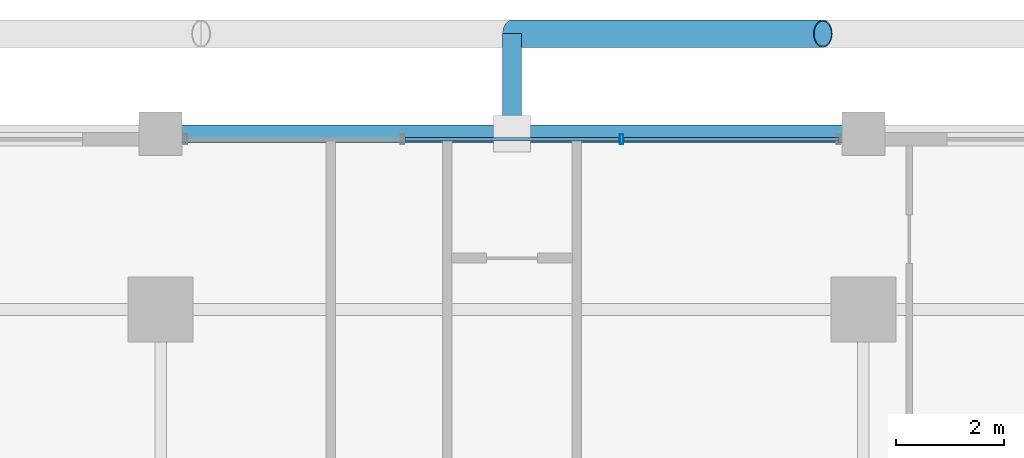
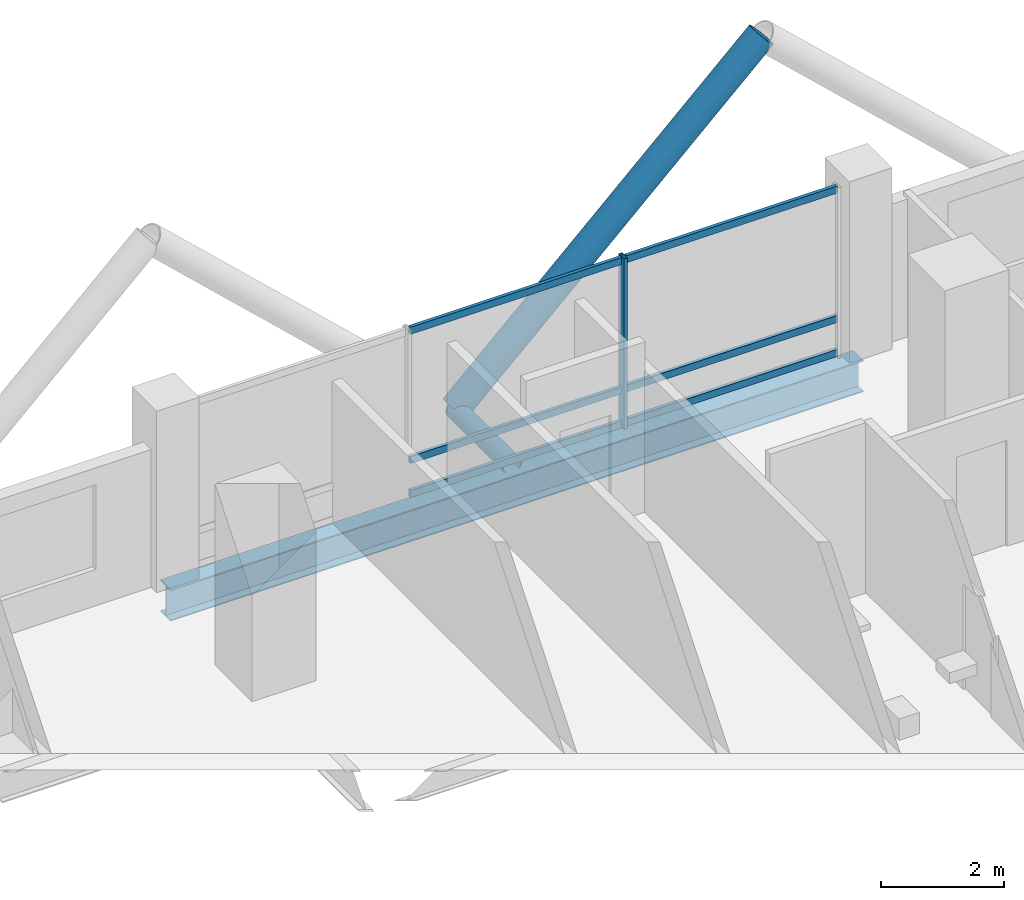
# One storey, part 15 of 24: 9 members, 1 beam, 1 element without a shape of its own.
"""IFC4 building model written with IfcOpenShell, lengths in metres."""

from ifc_helpers import new_model, si_unit, direction, frame, origin, origin_2d, place, context, subcontext, project, spatial, hollow_rectangle, hollow_circle, i_section, extrude, material, layer, layer_set, material_profile, profile_set, type_object, element, aggregate, save


model = new_model("IFC4")

# Units and contexts
model_context = context("Model", 3, precision=1e-05, world=origin(), true_north=direction((0.0, 1.0)))
body_context = subcontext(model_context, "Body", "Model", "MODEL_VIEW")
ifc_project = project(units=[si_unit("LENGTHUNIT", "METRE"), si_unit("AREAUNIT", "SQUARE_METRE"), si_unit("VOLUMEUNIT", "CUBIC_METRE"), si_unit("PLANEANGLEUNIT", "RADIAN"), si_unit("MASSUNIT", "GRAM", prefix="KILO")], contexts=[model_context])

# Site, building, storey
site_placement = place(None, origin())
site = spatial("IfcSite", under=ifc_project, at=site_placement, CompositionType="ELEMENT")
building_placement = place(site_placement, origin())
building = spatial("IfcBuilding", under=site, at=building_placement, Name="Barlavira Tower and Art Museum", CompositionType="ELEMENT")
storey_placement = place(building_placement, frame((0.0, 0.0, 154.800048828125)))
storey = spatial("IfcBuildingStorey", under=building, at=storey_placement, Name="L39", CompositionType="ELEMENT", Elevation=154.800048828125)

# Curtain wall, members
ifc_material_1 = material(Name="Low-iron coastal laminated glass", Category="glass")
ifc_layer = layer(ifc_material_1, 0.18994140625, Name="Low-iron coastal laminated glass")
ifc_layer_set = layer_set([ifc_layer], Name="Low-iron coastal laminated glass")
curtain_wall_type = type_object("IfcCurtainWallType", Name="Pale-Metal Unitised Curtain Wall Zone 2", PredefinedType="NOTDEFINED", material=ifc_layer_set)
curtain_wall_placement = place(storey_placement, origin())
curtain_wall = element("IfcCurtainWall", 1, at=curtain_wall_placement, inside=storey, type_object=curtain_wall_type, Name="L39 Curtain Wall CW2-L39-N-B3", PredefinedType="NOTDEFINED")
ifc_material_2 = material(Name="Pale anodised aluminium", Category="aluminium")
ifc_material_profile_1 = material_profile(ifc_material_2, hollow_rectangle(XDim=0.06494140625, YDim=0.179931640625, WallThickness=0.00390625, at=origin_2d()), Name="ALU-MULL 65x180x4")
ifc_profile_set_1 = profile_set([ifc_material_profile_1], Name="Pale anodised aluminium")
member_type_1 = type_object("IfcMemberType", Name="Curtain Wall Pale-Metal Mullion 65x180", PredefinedType="MULLION", material=ifc_profile_set_1)
member_1_placement = place(storey_placement, frame((2.026611328125, 23.14990234375, 0.0), z_axis=(0.0, 0.0, 1.0), x_axis=(-1.0, 0.0, 0.0)))
member_1 = element("IfcMember", 2, at=member_1_placement, type_object=member_type_1, Name="CW2-L39-N-B3 Mullion 1", PredefinedType="MULLION", context=body_context, shape_type="SweptSolid", body=[
    extrude(hollow_rectangle(XDim=0.06494140625, YDim=0.179931640625, WallThickness=0.00390625, at=origin_2d()), origin(), (0.0, 0.0, 1.0), 3.3798828125),
])
ifc_material_profile_2 = material_profile(ifc_material_2, hollow_rectangle(XDim=0.06494140625, YDim=0.139892578125, WallThickness=0.00390625, at=origin_2d()), Name="ALU-TRAN 65x140x4")
ifc_profile_set_2 = profile_set([ifc_material_profile_2], Name="Pale anodised aluminium")
member_type_2 = type_object("IfcMemberType", Name="Curtain Wall Pale-Metal Transom 65x140", PredefinedType="USERDEFINED", material=ifc_profile_set_2)
member_2_placement = place(storey_placement, frame((6.034912109375, 23.14990234375, 0.070068359375), z_axis=(-1.0, 0.0, 0.0), x_axis=(0.0, -1.0, 0.0)))
member_2 = element("IfcMember", 3, at=member_2_placement, type_object=member_type_2, Name="CW2-L39-N-B3 Transom 0.1", ObjectType="TRANSOM", PredefinedType="USERDEFINED", context=body_context, shape_type="SweptSolid", body=[
    extrude(hollow_rectangle(XDim=0.06494140625, YDim=0.139892578125, WallThickness=0.00390625, at=origin_2d()), origin(), (0.0, 0.0, 1.0), 3.963134765625),
])
member_3_placement = place(storey_placement, frame((6.034912109375, 23.14990234375, 0.743896484375), z_axis=(-1.0, 0.0, 0.0), x_axis=(0.0, -1.0, 0.0)))
member_3 = element("IfcMember", 4, at=member_3_placement, type_object=member_type_2, Name="CW2-L39-N-B3 Transom 0.2", ObjectType="TRANSOM", PredefinedType="USERDEFINED", context=body_context, shape_type="SweptSolid", body=[
    extrude(hollow_rectangle(XDim=0.06494140625, YDim=0.139892578125, WallThickness=0.00390625, at=origin_2d()), origin(), (0.0, 0.0, 1.0), 3.963134765625),
])
member_4_placement = place(storey_placement, frame((6.034912109375, 23.14990234375, 3.31005859375), z_axis=(-1.0, 0.0, 0.0), x_axis=(0.0, -1.0, 0.0)))
member_4 = element("IfcMember", 5, at=member_4_placement, type_object=member_type_2, Name="CW2-L39-N-B3 Transom 0.3", ObjectType="TRANSOM", PredefinedType="USERDEFINED", context=body_context, shape_type="SweptSolid", body=[
    extrude(hollow_rectangle(XDim=0.06494140625, YDim=0.139892578125, WallThickness=0.00390625, at=origin_2d()), origin(), (0.0, 0.0, 1.0), 3.963134765625),
])
member_5_placement = place(storey_placement, frame((1.981689453125, 23.14990234375, 0.070068359375), z_axis=(-1.0, 0.0, 0.0), x_axis=(0.0, -1.0, 0.0)))
member_5 = element("IfcMember", 6, at=member_5_placement, type_object=member_type_2, Name="CW2-L39-N-B3 Transom 1.1", ObjectType="TRANSOM", PredefinedType="USERDEFINED", context=body_context, shape_type="SweptSolid", body=[
    extrude(hollow_rectangle(XDim=0.06494140625, YDim=0.139892578125, WallThickness=0.00390625, at=origin_2d()), origin(), (0.0, 0.0, 1.0), 3.96337890625),
])
member_6_placement = place(storey_placement, frame((1.981689453125, 23.14990234375, 0.743896484375), z_axis=(-1.0, 0.0, 0.0), x_axis=(0.0, -1.0, 0.0)))
member_6 = element("IfcMember", 7, at=member_6_placement, type_object=member_type_2, Name="CW2-L39-N-B3 Transom 1.2", ObjectType="TRANSOM", PredefinedType="USERDEFINED", context=body_context, shape_type="SweptSolid", body=[
    extrude(hollow_rectangle(XDim=0.06494140625, YDim=0.139892578125, WallThickness=0.00390625, at=origin_2d()), origin(), (0.0, 0.0, 1.0), 3.96337890625),
])
member_7_placement = place(storey_placement, frame((1.981689453125, 23.14990234375, 3.31005859375), z_axis=(-1.0, 0.0, 0.0), x_axis=(0.0, -1.0, 0.0)))
member_7 = element("IfcMember", 8, at=member_7_placement, type_object=member_type_2, Name="CW2-L39-N-B3 Transom 1.3", ObjectType="TRANSOM", PredefinedType="USERDEFINED", context=body_context, shape_type="SweptSolid", body=[
    extrude(hollow_rectangle(XDim=0.06494140625, YDim=0.139892578125, WallThickness=0.00390625, at=origin_2d()), origin(), (0.0, 0.0, 1.0), 3.96337890625),
])
aggregate(curtain_wall, [member_1, member_2, member_3, member_4, member_5, member_6, member_7])

# Members
ifc_material_3 = material(Name="Steel S355", Category="steel")
ifc_material_profile_3 = material_profile(ifc_material_3, hollow_circle(Radius=0.25390625, WallThickness=0.022216796875, at=origin_2d()), Name="CHS 508.0x22.2")
ifc_profile_set_3 = profile_set([ifc_material_profile_3], Name="Steel S355")
member_type_3 = type_object("IfcMemberType", Name="Pale-Metal Exoskeleton Diagrid Tube CHS 508x22 Steel S355", PredefinedType="BRACE", material=ifc_profile_set_3)
member_8_placement = place(storey_placement, frame((0.0, 25.10009765625, -0.1201171875), z_axis=(0.728934650808, 0.0, 0.684583285548), x_axis=(0.0, 1.0, 0.0)))
element("IfcMember", 9, at=member_8_placement, inside=storey, type_object=member_type_3, Name="L39 Exoskeleton Diagrid Tube N", PredefinedType="BRACE", context=body_context, shape_type="SweptSolid", body=[
    extrude(hollow_circle(Radius=0.25390625, WallThickness=0.022216796875, at=origin_2d()), origin(), (0.0, 0.0, 1.0), 7.88818359375),
])
ifc_material_profile_4 = material_profile(ifc_material_3, hollow_circle(Radius=0.177734375, WallThickness=0.01611328125, at=origin_2d()), Name="CHS 355.6x16.0")
ifc_profile_set_4 = profile_set([ifc_material_profile_4], Name="Steel S355")
member_type_4 = type_object("IfcMemberType", Name="Pale-Metal Exoskeleton Tie Strut CHS 356x16 Steel S355", PredefinedType="STRUT", material=ifc_profile_set_4)
member_9_placement = place(storey_placement, frame((0.0, 25.10009765625, -0.1201171875), z_axis=(0.0, -1.0, 0.0), x_axis=(1.0, 0.0, 0.0)))
element("IfcMember", 10, at=member_9_placement, inside=storey, type_object=member_type_4, Name="L39 Exoskeleton Tie Strut N2", PredefinedType="STRUT", context=body_context, shape_type="SweptSolid", body=[
    extrude(hollow_circle(Radius=0.177734375, WallThickness=0.01611328125, at=origin_2d()), origin(), (0.0, 0.0, 1.0), 1.85009765625),
])

# Beam
ifc_material_profile_5 = material_profile(ifc_material_3, i_section(OverallWidth=0.327880859375, OverallDepth=0.62890625, WebThickness=0.013916015625, FlangeThickness=0.021484375, at=origin_2d()), Name="W610x174.0")
ifc_profile_set_5 = profile_set([ifc_material_profile_5], Name="Steel S355")
beam_type = type_object("IfcBeamType", Name="Perimeter Spandrel Edge Beam W610x174 Steel S355", PredefinedType="SPANDREL", material=ifc_profile_set_5)
beam_placement = place(storey_placement, frame((-6.5, 23.25, -0.53466796875), z_axis=(1.0, 0.0, 0.0), x_axis=(0.0, 1.0, 0.0)))
element("IfcBeam", 11, at=beam_placement, inside=storey, type_object=beam_type, Name="L39 Spandrel 10", PredefinedType="SPANDREL", context=body_context, shape_type="SweptSolid", body=[
    extrude(i_section(OverallWidth=0.327880859375, OverallDepth=0.62890625, WebThickness=0.013916015625, FlangeThickness=0.021484375, at=origin_2d()), origin(), (0.0, 0.0, 1.0), 13.0),
])

save(model, "model.ifc")
